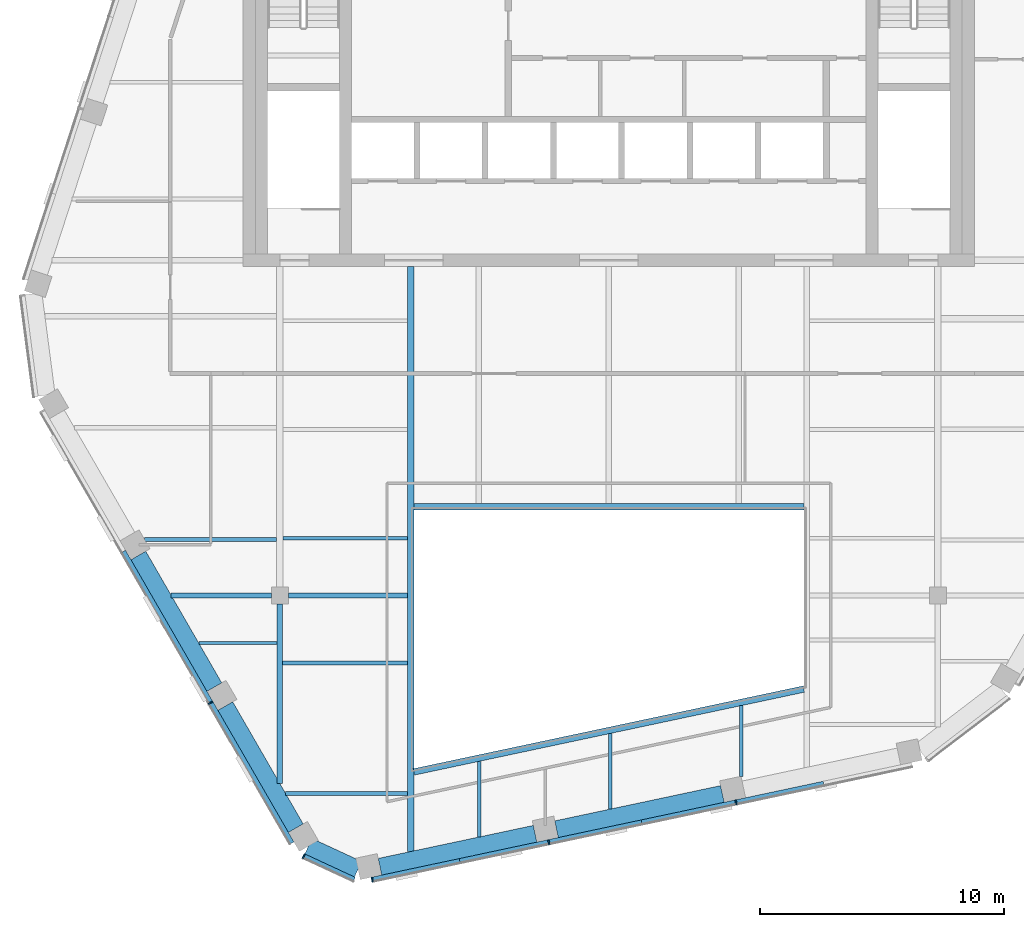
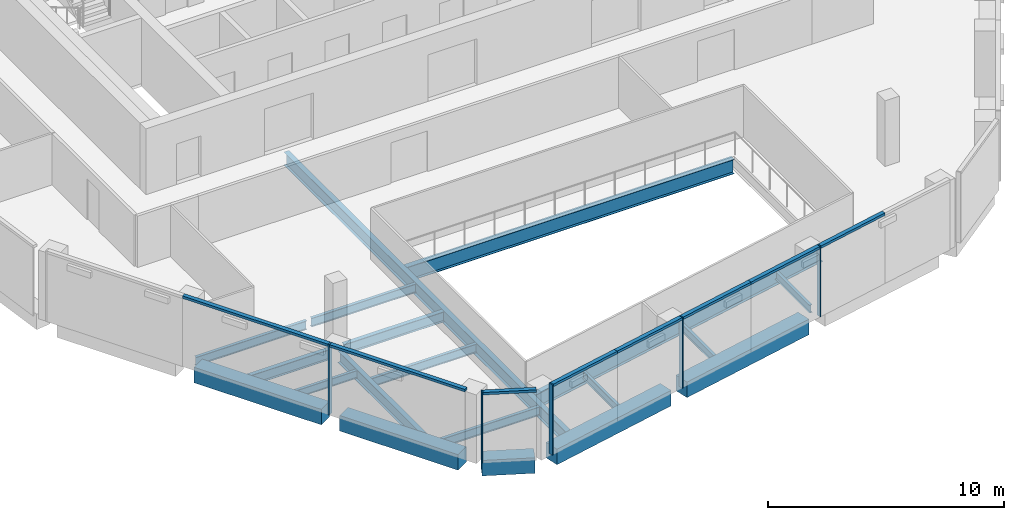
# One storey, part 2 of 13: 19 beams, 13 members, 3 elements without a shape of their own.
"""IFC4 building model written with IfcOpenShell, lengths in metres."""

from ifc_helpers import new_model, si_unit, direction, frame, origin, origin_2d, place, context, subcontext, project, spatial, rectangle, i_section, extrude, material, layer, layer_set, material_profile, profile_set, type_object, element, aggregate, save


model = new_model("IFC4")

# Units and contexts
model_context = context("Model", 3, precision=1e-05, world=origin(), true_north=direction((0.0, 1.0)))
body_context = subcontext(model_context, "Body", "Model", "MODEL_VIEW")
ifc_project = project(units=[si_unit("LENGTHUNIT", "METRE"), si_unit("AREAUNIT", "SQUARE_METRE"), si_unit("VOLUMEUNIT", "CUBIC_METRE"), si_unit("PLANEANGLEUNIT", "RADIAN"), si_unit("MASSUNIT", "GRAM", prefix="KILO")], contexts=[model_context])

# Site, building, storey
site_placement = place(None, origin())
site = spatial("IfcSite", under=ifc_project, at=site_placement, CompositionType="ELEMENT")
building_placement = place(site_placement, origin())
building = spatial("IfcBuilding", under=site, at=building_placement, Name="Isthmus Gate Tower", CompositionType="ELEMENT")
storey_placement = place(building_placement, frame((0.0, 0.0, 297.449951171875)))
storey = spatial("IfcBuildingStorey", under=building, at=storey_placement, Name="L76", CompositionType="ELEMENT", Elevation=297.449951171875)

# Curtain wall, member
ifc_material_1 = material(Name="Aluminium, pale champagne anodised", Category="aluminium")
ifc_layer = layer(ifc_material_1, 0.199951171875)
ifc_layer_set = layer_set([ifc_layer], Name="CW-1 UNITISED CURTAIN WALL 200 DEEP")
curtain_wall_type = type_object("IfcCurtainWallType", Name="CW-1 UNITISED CURTAIN WALL 200 DEEP", PredefinedType="NOTDEFINED", material=ifc_layer_set)
curtain_wall_1_placement = place(storey_placement, origin())
curtain_wall_1 = element("IfcCurtainWall", 1, at=curtain_wall_1_placement, inside=storey, type_object=curtain_wall_type, Name="CW-1 SW L76", PredefinedType="NOTDEFINED")
ifc_material_2 = material(Name="Aluminium, pale champagne anodised", Category="aluminium")
ifc_material_profile_1 = material_profile(ifc_material_2, rectangle(XDim=0.06005859375, YDim=0.199951171875, at=origin_2d()), Name="60x200")
ifc_profile_set_1 = profile_set([ifc_material_profile_1], Name="Aluminium, pale champagne anodised")
member_type_1 = type_object("IfcMemberType", Name="CW-1 MULLION 60 X 200", PredefinedType="MULLION", material=ifc_profile_set_1)
member_1_placement = place(storey_placement, frame((-16.33544921875, -17.90625, 0.0), z_axis=(0.0, 0.0, 1.0), x_axis=(0.5, -0.866025403784, 0.0)))
member_1 = element("IfcMember", 2, at=member_1_placement, type_object=member_type_1, Name="CW-1 mullion", PredefinedType="MULLION", context=body_context, shape_type="SweptSolid", body=[
    extrude(rectangle(XDim=0.06005859375, YDim=0.199951171875, at=origin_2d()), origin(), (0.0, 0.0, 1.0), 3.650146484375),
])

curtain_wall_2_placement = place(storey_placement, origin())
curtain_wall_2 = element("IfcCurtainWall", 3, at=curtain_wall_2_placement, inside=storey, type_object=curtain_wall_type, Name="CW-1 SW-S L76", PredefinedType="NOTDEFINED")
member_2_placement = place(storey_placement, frame((-12.519775390625, -24.201171875, 0.0), z_axis=(0.0, 0.0, 1.0), x_axis=(0.907256261367, -0.420578264073, 0.0)))
member_2 = element("IfcMember", 4, at=member_2_placement, type_object=member_type_1, Name="CW-1 mullion", PredefinedType="MULLION", context=body_context, shape_type="SweptSolid", body=[
    extrude(rectangle(XDim=0.06005859375, YDim=0.199951171875, at=origin_2d()), origin(), (0.0, 0.0, 1.0), 3.650146484375),
])

# Curtain wall, members
curtain_wall_3_placement = place(storey_placement, origin())
curtain_wall_3 = element("IfcCurtainWall", 5, at=curtain_wall_3_placement, inside=storey, type_object=curtain_wall_type, Name="CW-1 S L76", PredefinedType="NOTDEFINED")
member_3_placement = place(storey_placement, frame((-9.70703125, -25.16552734375, 0.0), z_axis=(0.0, 0.0, 1.0), x_axis=(0.978147600734, 0.207911690818, 0.0)))
member_3 = element("IfcMember", 6, at=member_3_placement, type_object=member_type_1, Name="CW-1 mullion", PredefinedType="MULLION", context=body_context, shape_type="SweptSolid", body=[
    extrude(rectangle(XDim=0.06005859375, YDim=0.199951171875, at=origin_2d()), origin(), (0.0, 0.0, 1.0), 3.650146484375),
])
member_4_placement = place(storey_placement, frame((-2.462158203125, -23.62548828125, 0.0), z_axis=(0.0, 0.0, 1.0), x_axis=(0.978147600734, 0.207911690818, 0.0)))
member_4 = element("IfcMember", 7, at=member_4_placement, type_object=member_type_1, Name="CW-1 mullion", PredefinedType="MULLION", context=body_context, shape_type="SweptSolid", body=[
    extrude(rectangle(XDim=0.06005859375, YDim=0.199951171875, at=origin_2d()), origin(), (0.0, 0.0, 1.0), 3.650146484375),
])
member_5_placement = place(storey_placement, frame((5.222900390625, -21.991943359375, 0.0), z_axis=(0.0, 0.0, 1.0), x_axis=(0.978147600734, 0.207911690818, 0.0)))
member_5 = element("IfcMember", 8, at=member_5_placement, type_object=member_type_1, Name="CW-1 mullion", PredefinedType="MULLION", context=body_context, shape_type="SweptSolid", body=[
    extrude(rectangle(XDim=0.06005859375, YDim=0.199951171875, at=origin_2d()), origin(), (0.0, 0.0, 1.0), 3.650146484375),
])

# Member
ifc_material_3 = material(Name="Aluminium, pale champagne anodised", Category="aluminium")
ifc_material_profile_2 = material_profile(ifc_material_3, rectangle(XDim=0.199951171875, YDim=0.1298828125, at=origin_2d()), Name="200x130")
ifc_profile_set_2 = profile_set([ifc_material_profile_2], Name="Aluminium, pale champagne anodised")
member_type_2 = type_object("IfcMemberType", Name="CW-1 TRANSOM 200 X 130", PredefinedType="USERDEFINED", material=ifc_profile_set_2)
member_6_placement = place(storey_placement, frame((-19.917724609375, -11.70166015625, 3.5849609375), z_axis=(0.500010763282, -0.866019189511, 0.0), x_axis=(0.866019189511, 0.500010763282, 0.0)))
member_6 = element("IfcMember", 9, at=member_6_placement, type_object=member_type_2, Name="CW-1 transom", ObjectType="TRANSOM", PredefinedType="USERDEFINED", context=body_context, shape_type="SweptSolid", body=[
    extrude(rectangle(XDim=0.199951171875, YDim=0.1298828125, at=origin_2d()), origin(), (0.0, 0.0, 1.0), 7.134521484375),
])

member_7_placement = place(storey_placement, frame((-16.3203125, -17.932373046875, 3.5849609375), z_axis=(0.500011702555, -0.866018647206, 0.0), x_axis=(0.866018647206, 0.500011702555, 0.0)))
member_7 = element("IfcMember", 10, at=member_7_placement, type_object=member_type_2, Name="CW-1 transom", ObjectType="TRANSOM", PredefinedType="USERDEFINED", context=body_context, shape_type="SweptSolid", body=[
    extrude(rectangle(XDim=0.199951171875, YDim=0.1298828125, at=origin_2d()), origin(), (0.0, 0.0, 1.0), 6.624267578125),
])

aggregate(curtain_wall_1, [member_6, member_1, member_7])

member_8_placement = place(storey_placement, frame((-12.49267578125, -24.213623046875, 3.5849609375), z_axis=(0.907246225564, -0.420599912268, 0.0), x_axis=(0.420599912268, 0.907246225564, 0.0)))
member_8 = element("IfcMember", 11, at=member_8_placement, type_object=member_type_2, Name="CW-1 transom", ObjectType="TRANSOM", PredefinedType="USERDEFINED", context=body_context, shape_type="SweptSolid", body=[
    extrude(rectangle(XDim=0.199951171875, YDim=0.1298828125, at=origin_2d()), origin(), (0.0, 0.0, 1.0), 2.258544921875),
])

aggregate(curtain_wall_2, [member_2, member_8])

member_9_placement = place(storey_placement, frame((-9.677734375, -25.1591796875, 3.5849609375), z_axis=(0.9781569775, 0.207867571707, 0.0), x_axis=(-0.207867571707, 0.9781569775, 0.0)))
member_9 = element("IfcMember", 12, at=member_9_placement, type_object=member_type_2, Name="CW-1 transom", ObjectType="TRANSOM", PredefinedType="USERDEFINED", context=body_context, shape_type="SweptSolid", body=[
    extrude(rectangle(XDim=0.199951171875, YDim=0.1298828125, at=origin_2d()), origin(), (0.0, 0.0, 1.0), 3.643310546875),
])

member_10_placement = place(storey_placement, frame((-6.114013671875, -24.40185546875, 3.5849609375), z_axis=(0.978146451283, 0.207917098487, 0.0), x_axis=(-0.207917098487, 0.978146451283, 0.0)))
member_10 = element("IfcMember", 13, at=member_10_placement, type_object=member_type_2, Name="CW-1 transom", ObjectType="TRANSOM", PredefinedType="USERDEFINED", context=body_context, shape_type="SweptSolid", body=[
    extrude(rectangle(XDim=0.199951171875, YDim=0.1298828125, at=origin_2d()), origin(), (0.0, 0.0, 1.0), 3.70361328125),
])

member_11_placement = place(storey_placement, frame((-2.432861328125, -23.619384765625, 3.5849609375), z_axis=(0.978140080964, 0.207947065409, 0.0), x_axis=(-0.207947065409, 0.978140080964, 0.0)))
member_11 = element("IfcMember", 14, at=member_11_placement, type_object=member_type_2, Name="CW-1 transom", ObjectType="TRANSOM", PredefinedType="USERDEFINED", context=body_context, shape_type="SweptSolid", body=[
    extrude(rectangle(XDim=0.199951171875, YDim=0.1298828125, at=origin_2d()), origin(), (0.0, 0.0, 1.0), 3.868408203125),
])

member_12_placement = place(storey_placement, frame((1.35107421875, -22.81494140625, 3.5849609375), z_axis=(0.978153006411, 0.207886257478, 0.0), x_axis=(-0.207886257478, 0.978153006411, 0.0)))
member_12 = element("IfcMember", 15, at=member_12_placement, type_object=member_type_2, Name="CW-1 transom", ObjectType="TRANSOM", PredefinedType="USERDEFINED", context=body_context, shape_type="SweptSolid", body=[
    extrude(rectangle(XDim=0.199951171875, YDim=0.1298828125, at=origin_2d()), origin(), (0.0, 0.0, 1.0), 3.928466796875),
])

member_13_placement = place(storey_placement, frame((5.25244140625, -21.98583984375, 3.5849609375), z_axis=(0.978143350472, 0.207931685724, 0.0), x_axis=(-0.207931685724, 0.978143350472, 0.0)))
member_13 = element("IfcMember", 16, at=member_13_placement, type_object=member_type_2, Name="CW-1 transom", ObjectType="TRANSOM", PredefinedType="USERDEFINED", context=body_context, shape_type="SweptSolid", body=[
    extrude(rectangle(XDim=0.199951171875, YDim=0.1298828125, at=origin_2d()), origin(), (0.0, 0.0, 1.0), 3.643310546875),
])

aggregate(curtain_wall_3, [member_3, member_9, member_10, member_4, member_11, member_12, member_5, member_13])

# Beams
ifc_material_4 = material(Name="Concrete f'c 50 MPa", Category="concrete")
ifc_material_profile_3 = material_profile(ifc_material_4, rectangle(XDim=0.699951171875, YDim=0.800048828125, at=origin_2d()), Name="RC 700X800")
ifc_profile_set_3 = profile_set([ifc_material_profile_3], Name="Concrete f'c 50 MPa")
beam_type_1 = type_object("IfcBeamType", Name="RC SPANDREL 700 X 800", PredefinedType="SPANDREL", material=ifc_profile_set_3)
beam_1_placement = place(storey_placement, frame((4.659912109375, -21.651611328125, -0.39990234375), z_axis=(-0.978143150477, -0.207932626528, 0.0), x_axis=(0.207932626528, -0.978143150477, 0.0)))
element("IfcBeam", 17, at=beam_1_placement, inside=storey, type_object=beam_type_1, Name="str-spandrel-L76-10", PredefinedType="SPANDREL", context=body_context, shape_type="SweptSolid", body=[
    extrude(rectangle(XDim=0.699951171875, YDim=0.800048828125, at=origin_2d()), origin(), (0.0, 0.0, 1.0), 6.956787109375),
])
beam_2_placement = place(storey_placement, frame((-3.025146484375, -23.28515625, -0.39990234375), z_axis=(-0.97815026796, -0.207899142108, 0.0), x_axis=(0.207899142108, -0.97815026796, 0.0)))
element("IfcBeam", 18, at=beam_2_placement, inside=storey, type_object=beam_type_1, Name="str-spandrel-L76-11", PredefinedType="SPANDREL", context=body_context, shape_type="SweptSolid", body=[
    extrude(rectangle(XDim=0.699951171875, YDim=0.800048828125, at=origin_2d()), origin(), (0.0, 0.0, 1.0), 6.5068359375),
])
beam_3_placement = place(storey_placement, frame((-10.288330078125, -24.739501953125, -0.39990234375), z_axis=(-0.907254968276, 0.42058105347, 0.0), x_axis=(-0.42058105347, -0.907254968276, 0.0)))
element("IfcBeam", 19, at=beam_3_placement, inside=storey, type_object=beam_type_1, Name="str-spandrel-L76-12", PredefinedType="SPANDREL", context=body_context, shape_type="SweptSolid", body=[
    extrude(rectangle(XDim=0.699951171875, YDim=0.800048828125, at=origin_2d()), origin(), (0.0, 0.0, 1.0), 2.245849609375),
])
beam_4_placement = place(storey_placement, frame((-12.843505859375, -23.0546875, -0.39990234375), z_axis=(-0.499961143711, 0.866047836311, 0.0), x_axis=(-0.866047836311, -0.499961143711, 0.0)))
element("IfcBeam", 20, at=beam_4_placement, inside=storey, type_object=beam_type_1, Name="str-spandrel-L76-13", PredefinedType="SPANDREL", context=body_context, shape_type="SweptSolid", body=[
    extrude(rectangle(XDim=0.699951171875, YDim=0.800048828125, at=origin_2d()), origin(), (0.0, 0.0, 1.0), 5.78466796875),
])
beam_5_placement = place(storey_placement, frame((-16.185791015625, -17.265625, -0.39990234375), z_axis=(-0.499997027648, 0.866027119866, 0.0), x_axis=(-0.866027119866, -0.499997027648, 0.0)))
element("IfcBeam", 21, at=beam_5_placement, inside=storey, type_object=beam_type_1, Name="str-spandrel-L76-14", PredefinedType="SPANDREL", context=body_context, shape_type="SweptSolid", body=[
    extrude(rectangle(XDim=0.699951171875, YDim=0.800048828125, at=origin_2d()), origin(), (0.0, 0.0, 1.0), 6.234375),
])
ifc_material_5 = material(Name="Structural steel ASTM A992 Gr 50", Category="steel")
ifc_material_profile_4 = material_profile(ifc_material_5, i_section(OverallWidth=0.1396484375, OverallDepth=0.4033203125, WebThickness=0.00634765625, FlangeThickness=0.010986328125, at=origin_2d()), Name="W16X31")
ifc_profile_set_4 = profile_set([ifc_material_profile_4], Name="Structural steel ASTM A992 Gr 50")
beam_type_2 = type_object("IfcBeamType", Name="STEEL FLOOR BEAM W16X31", PredefinedType="JOIST", material=ifc_profile_set_4)
beam_6_placement = place(storey_placement, frame((-16.824951171875, -15.45849609375, -0.3515625), z_axis=(1.0, 0.0, 0.0), x_axis=(0.0, 1.0, 0.0)))
element("IfcBeam", 22, at=beam_6_placement, inside=storey, type_object=beam_type_2, Name="str-beam-L76-02-00", PredefinedType="JOIST", context=body_context, shape_type="SweptSolid", body=[
    extrude(i_section(OverallWidth=0.1396484375, OverallDepth=0.4033203125, WebThickness=0.00634765625, FlangeThickness=0.010986328125, at=origin_2d()), origin(), (0.0, 0.0, 1.0), 3.210693359375),
])
for number, where, z_axis, x_axis, name in (
    (23, (-5.314208984375, -23.4140625, -0.3515625), (0.0, 1.0, 0.0), (-1.0, 0.0, 0.0), "str-beam-L76-05-00"),
    (24, (0.05712890625, -22.272216796875, -0.3515625), (0.0, 1.0, 0.0), (-1.0, 0.0, 0.0), "str-beam-L76-05-01"),
):
    element("IfcBeam", number, at=place(storey_placement, frame(where, z_axis=z_axis, x_axis=x_axis)), inside=storey, type_object=beam_type_2, Name=name, PredefinedType="JOIST", context=body_context, shape_type="SweptSolid", body=[
        extrude(i_section(OverallWidth=0.1396484375, OverallDepth=0.4033203125, WebThickness=0.00634765625, FlangeThickness=0.010986328125, at=origin_2d()), origin(), (0.0, 0.0, 1.0), 3.10107421875),
    ])
beam_7_placement = place(storey_placement, frame((5.428466796875, -20.939208984375, -0.3515625), z_axis=(0.0, 1.0, 0.0), x_axis=(-1.0, 0.0, 0.0)))
element("IfcBeam", 25, at=beam_7_placement, inside=storey, type_object=beam_type_2, Name="str-beam-L76-05-02", PredefinedType="JOIST", context=body_context, shape_type="SweptSolid", body=[
    extrude(i_section(OverallWidth=0.1396484375, OverallDepth=0.4033203125, WebThickness=0.00634765625, FlangeThickness=0.010986328125, at=origin_2d()), origin(), (0.0, 0.0, 1.0), 2.909912109375),
])
ifc_material_6 = material(Name="Structural steel ASTM A992 Gr 50", Category="steel")
ifc_material_profile_5 = material_profile(ifc_material_6, i_section(OverallWidth=0.15234375, OverallDepth=0.45068359375, WebThickness=0.0078125, FlangeThickness=0.010986328125, at=origin_2d()), Name="W18X35")
ifc_profile_set_5 = profile_set([ifc_material_profile_5], Name="Structural steel ASTM A992 Gr 50")
beam_type_3 = type_object("IfcBeamType", Name="STEEL FLOOR BEAM W18X35", PredefinedType="JOIST", material=ifc_profile_set_5)
beam_8_placement = place(storey_placement, frame((-19.0478515625, -11.208251953125, -0.375244140625), z_axis=(1.0, 0.0, 0.0), x_axis=(0.0, 1.0, 0.0)))
element("IfcBeam", 26, at=beam_8_placement, inside=storey, type_object=beam_type_3, Name="str-beam-L76-01-00", PredefinedType="JOIST", context=body_context, shape_type="SweptSolid", body=[
    extrude(i_section(OverallWidth=0.15234375, OverallDepth=0.45068359375, WebThickness=0.0078125, FlangeThickness=0.010986328125, at=origin_2d()), origin(), (0.0, 0.0, 1.0), 5.416015625),
])
beam_9_placement = place(storey_placement, frame((-13.3681640625, -11.16259765625, -0.375244140625), z_axis=(1.0, 0.0, 0.0), x_axis=(0.0, 1.0, 0.0)))
element("IfcBeam", 27, at=beam_9_placement, inside=storey, type_object=beam_type_3, Name="str-beam-L76-03-00", PredefinedType="JOIST", context=body_context, shape_type="SweptSolid", body=[
    extrude(i_section(OverallWidth=0.15234375, OverallDepth=0.45068359375, WebThickness=0.0078125, FlangeThickness=0.010986328125, at=origin_2d()), origin(), (0.0, 0.0, 1.0), 5.1142578125),
])
beam_10_placement = place(storey_placement, frame((-13.2587890625, -21.635009765625, -0.375244140625), z_axis=(1.0, 0.0, 0.0), x_axis=(0.0, 1.0, 0.0)))
element("IfcBeam", 28, at=beam_10_placement, inside=storey, type_object=beam_type_3, Name="str-beam-L76-04-00", PredefinedType="JOIST", context=body_context, shape_type="SweptSolid", body=[
    extrude(i_section(OverallWidth=0.15234375, OverallDepth=0.45068359375, WebThickness=0.0078125, FlangeThickness=0.010986328125, at=origin_2d()), origin(), (0.0, 0.0, 1.0), 5.0048828125),
])
beam_11_placement = place(storey_placement, frame((-13.3857421875, -16.281494140625, -0.375244140625), z_axis=(1.0, 0.0, 0.0), x_axis=(0.0, 1.0, 0.0)))
element("IfcBeam", 29, at=beam_11_placement, inside=storey, type_object=beam_type_3, Name="str-beam-L76-04-01", PredefinedType="JOIST", context=body_context, shape_type="SweptSolid", body=[
    extrude(i_section(OverallWidth=0.15234375, OverallDepth=0.45068359375, WebThickness=0.0078125, FlangeThickness=0.010986328125, at=origin_2d()), origin(), (0.0, 0.0, 1.0), 5.1318359375),
])
ifc_material_7 = material(Name="Structural steel ASTM A992 Gr 50", Category="steel")
ifc_material_profile_6 = material_profile(ifc_material_7, i_section(OverallWidth=0.20947265625, OverallDepth=0.533447265625, WebThickness=0.009521484375, FlangeThickness=0.015869140625, at=origin_2d()), Name="W21X62")
ifc_profile_set_6 = profile_set([ifc_material_profile_6], Name="Structural steel ASTM A992 Gr 50")
beam_type_4 = type_object("IfcBeamType", Name="STEEL GIRDER W21X62", PredefinedType="BEAM", material=ifc_profile_set_6)
beam_12_placement = place(storey_placement, frame((-17.95556640625, -13.5, -0.416748046875), z_axis=(1.0, 0.0, 0.0), x_axis=(0.0, 1.0, 0.0)))
element("IfcBeam", 30, at=beam_12_placement, inside=storey, type_object=beam_type_4, Name="str-girder-L76-01", PredefinedType="BEAM", context=body_context, shape_type="SweptSolid", body=[
    extrude(i_section(OverallWidth=0.20947265625, OverallDepth=0.533447265625, WebThickness=0.009521484375, FlangeThickness=0.015869140625, at=origin_2d()), origin(), (0.0, 0.0, 1.0), 4.10546875),
])
beam_13_placement = place(storey_placement, frame((-13.14990234375, -13.5, -0.416748046875), z_axis=(1.0, 0.0, 0.0), x_axis=(0.0, 1.0, 0.0)))
element("IfcBeam", 31, at=beam_13_placement, inside=storey, type_object=beam_type_4, Name="str-girder-L76-02", PredefinedType="BEAM", context=body_context, shape_type="SweptSolid", body=[
    extrude(i_section(OverallWidth=0.20947265625, OverallDepth=0.533447265625, WebThickness=0.009521484375, FlangeThickness=0.015869140625, at=origin_2d()), origin(), (0.0, 0.0, 1.0), 4.89599609375),
])
ifc_material_8 = material(Name="Structural steel ASTM A992 Gr 50", Category="steel")
ifc_material_profile_7 = material_profile(ifc_material_8, i_section(OverallWidth=0.228515625, OverallDepth=0.603271484375, WebThickness=0.010986328125, FlangeThickness=0.014404296875, at=origin_2d()), Name="W24X68")
ifc_profile_set_7 = profile_set([ifc_material_profile_7], Name="Structural steel ASTM A992 Gr 50")
beam_type_5 = type_object("IfcBeamType", Name="STEEL GIRDER W24X68", PredefinedType="BEAM", material=ifc_profile_set_7)
beam_14_placement = place(storey_placement, frame((-13.5, -21.21728515625, -0.45166015625), z_axis=(0.0, 1.0, 0.0), x_axis=(-1.0, 0.0, 0.0)))
element("IfcBeam", 32, at=beam_14_placement, inside=storey, type_object=beam_type_5, Name="str-girder-L76-05", PredefinedType="BEAM", context=body_context, shape_type="SweptSolid", body=[
    extrude(i_section(OverallWidth=0.228515625, OverallDepth=0.603271484375, WebThickness=0.010986328125, FlangeThickness=0.014404296875, at=origin_2d()), origin(), (0.0, 0.0, 1.0), 7.3671875),
])
ifc_material_9 = material(Name="Structural steel ASTM A992 Gr 50", Category="steel")
ifc_material_profile_8 = material_profile(ifc_material_9, i_section(OverallWidth=0.25390625, OverallDepth=0.679443359375, WebThickness=0.010986328125, FlangeThickness=0.015869140625, at=origin_2d()), Name="W27X84")
ifc_profile_set_8 = profile_set([ifc_material_profile_8], Name="Structural steel ASTM A992 Gr 50")
beam_type_6 = type_object("IfcBeamType", Name="STEEL TRIMMER W27X84", PredefinedType="BEAM", material=ifc_profile_set_8)
beam_15_placement = place(storey_placement, frame((-8.126953125, 0.0, -0.48974609375), z_axis=(0.0, -1.0, 0.0), x_axis=(1.0, 0.0, 0.0)))
element("IfcBeam", 33, at=beam_15_placement, inside=storey, type_object=beam_type_6, Name="str-trimmer-L76-02", PredefinedType="BEAM", context=body_context, shape_type="SweptSolid", body=[
    extrude(i_section(OverallWidth=0.25390625, OverallDepth=0.679443359375, WebThickness=0.010986328125, FlangeThickness=0.015869140625, at=origin_2d()), origin(), (0.0, 0.0, 1.0), 24.01171875),
])
ifc_material_10 = material(Name="Structural steel ASTM A992 Gr 50", Category="steel")
ifc_material_profile_9 = material_profile(ifc_material_10, i_section(OverallWidth=0.2666015625, OverallDepth=0.7587890625, WebThickness=0.014404296875, FlangeThickness=0.01904296875, at=origin_2d()), Name="W30X108")
ifc_profile_set_9 = profile_set([ifc_material_profile_9], Name="Structural steel ASTM A992 Gr 50")
beam_type_7 = type_object("IfcBeamType", Name="STEEL TRIMMER W30X108", PredefinedType="BEAM", material=ifc_profile_set_9)
beam_16_placement = place(storey_placement, frame((-8.0, -20.747314453125, -0.529296875), z_axis=(0.978147924985, 0.20791016533, 0.0), x_axis=(-0.20791016533, 0.978147924985, 0.0)))
element("IfcBeam", 34, at=beam_16_placement, inside=storey, type_object=beam_type_7, Name="str-trimmer-L76-03", PredefinedType="BEAM", context=body_context, shape_type="SweptSolid", body=[
    extrude(i_section(OverallWidth=0.2666015625, OverallDepth=0.7587890625, WebThickness=0.014404296875, FlangeThickness=0.01904296875, at=origin_2d()), origin(), (0.0, 0.0, 1.0), 16.357421875),
])
beam_17_placement = place(storey_placement, frame((8.0, -9.86669921875, -0.529296875), z_axis=(-1.0, 0.0, 0.0), x_axis=(0.0, -1.0, 0.0)))
element("IfcBeam", 35, at=beam_17_placement, inside=storey, type_object=beam_type_7, Name="str-trimmer-L76-04", PredefinedType="BEAM", context=body_context, shape_type="SweptSolid", body=[
    extrude(i_section(OverallWidth=0.2666015625, OverallDepth=0.7587890625, WebThickness=0.014404296875, FlangeThickness=0.01904296875, at=origin_2d()), origin(), (0.0, 0.0, 1.0), 16.0),
])

save(model, "model.ifc")
